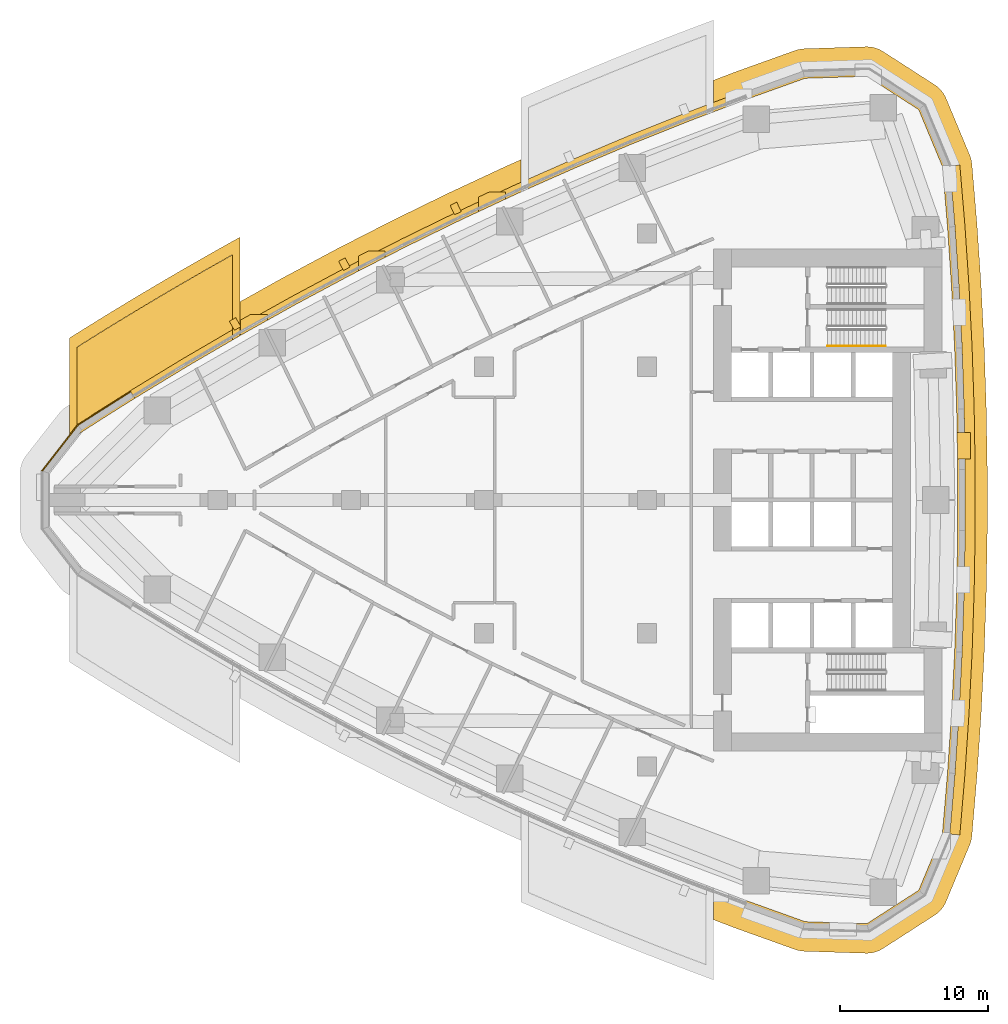
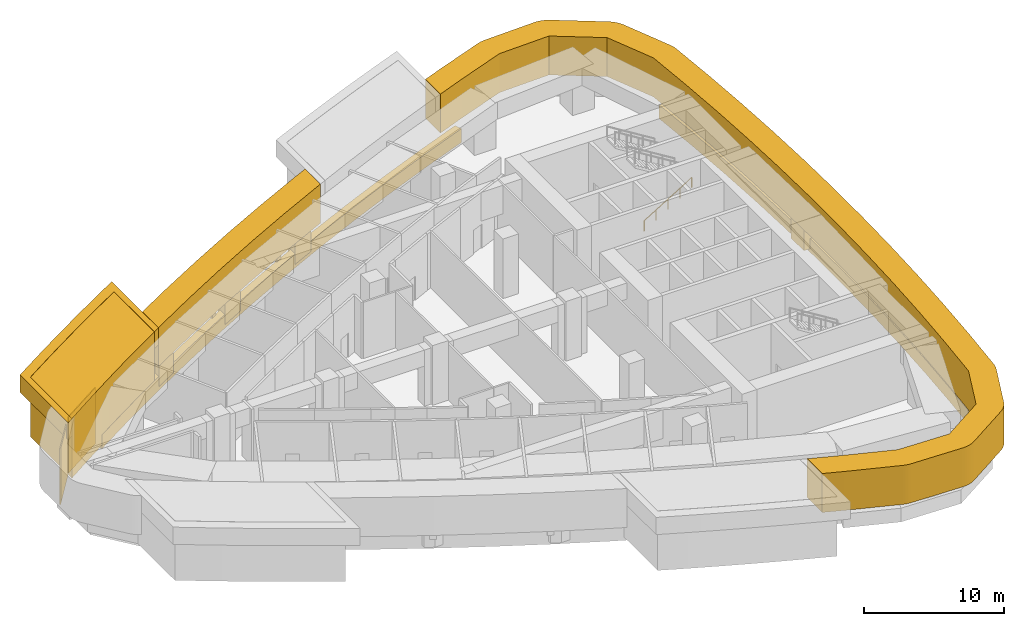
# One storey, part 15 of 17: 15 coverings, 1 railing.
"""IFC4 building model written with IfcOpenShell, lengths in metres."""

from ifc_helpers import new_model, si_unit, direction, frame, frame_2d, origin, origin_2d, place, context, subcontext, project, spatial, polyline, rectangle, circle, outline, extrude, material, layer, layer_set, type_object, element, save


model = new_model("IFC4")

# Units and contexts
model_context = context("Model", 3, precision=1e-05, world=origin(), true_north=direction((0.0, 1.0)))
body_context = subcontext(model_context, "Body", "Model", "MODEL_VIEW")
ifc_project = project(units=[si_unit("LENGTHUNIT", "METRE"), si_unit("AREAUNIT", "SQUARE_METRE"), si_unit("VOLUMEUNIT", "CUBIC_METRE"), si_unit("PLANEANGLEUNIT", "RADIAN"), si_unit("MASSUNIT", "GRAM", prefix="KILO")], contexts=[model_context])

# Site, building, storey
site_placement = place(None, origin())
site = spatial("IfcSite", under=ifc_project, at=site_placement, CompositionType="ELEMENT")
building_placement = place(site_placement, origin())
building = spatial("IfcBuilding", under=site, at=building_placement, Name="Ostrand Prow Hotel Tower", CompositionType="ELEMENT")
storey_placement = place(building_placement, frame((0.0, 0.0, 75.10009765625)))
storey = spatial("IfcBuildingStorey", under=building, at=storey_placement, Name="L17", CompositionType="ELEMENT", Elevation=75.10009765625)

# Coverings
ifc_material_1 = material(Name="Limestone cladding", Category="masonry")
ifc_layer_1 = layer(ifc_material_1, 2.0)
ifc_layer_set_1 = layer_set([ifc_layer_1], Name="Limestone cladding")
covering_type_1 = type_object("IfcCoveringType", Name="Belt lip limestone", PredefinedType="CLADDING", material=ifc_layer_set_1)
covering_1_placement = place(storey_placement, frame((0.0, 0.0, 1.7998046875)))
element("IfcCovering", 1, at=covering_1_placement, inside=storey, type_object=covering_type_1, Name="Belt L17 3", PredefinedType="CLADDING", context=body_context, shape_type="SweptSolid", body=[
    extrude(outline(polyline([(20.28076171875, 14.943115234375), (17.510009765625, 13.393798828125), (17.510009765625, 11.10009765625), (17.59912109375, 11.152099609375), (21.2568359375, 13.197509765625), (24.951416015625, 15.1748046875), (28.681884765625, 17.083984375), (32.44677734375, 18.92431640625), (36.244873046875, 20.695068359375), (36.4921875, 20.8046875), (36.49169921875, 20.805419921875), (36.4912109375, 20.80615234375), (36.49072265625, 20.806884765625), (36.490478515625, 20.80810546875), (36.490234375, 20.808837890625), (36.489990234375, 20.809814453125), (36.489990234375, 20.810791015625), (36.489990234375, 22.9921875), (35.433349609375, 22.52294921875), (35.39990234375, 22.5078125), (31.601806640625, 20.737060546875), (31.568603515625, 20.72119140625), (27.8037109375, 18.881103515625), (27.770751953125, 18.864501953125), (24.040283203125, 16.955322265625), (24.0078125, 16.938232421875), (20.31298828125, 14.960693359375), (20.28076171875, 14.943115234375)])), origin(), (0.0, 0.0, 1.0), 3.400146484375),
])
covering_2_placement = place(storey_placement, frame((0.0, 0.0, 1.7998046875)))
element("IfcCovering", 2, at=covering_2_placement, inside=storey, type_object=covering_type_1, Name="Belt L17 4", PredefinedType="CLADDING", context=body_context, shape_type="SweptSolid", body=[
    extrude(outline(polyline([(51.0341796875, 28.93994140625), (49.510009765625, 28.361572265625), (49.510009765625, 26.228759765625), (49.510009765625, 26.227783203125), (49.509765625, 26.226806640625), (49.509521484375, 26.225830078125), (49.50927734375, 26.224853515625), (49.5087890625, 26.22412109375), (49.50830078125, 26.22314453125), (49.507568359375, 26.222412109375), (49.5068359375, 26.2216796875), (49.50634765625, 26.22119140625), (51.743896484375, 27.070068359375), (55.6884765625, 28.484130859375), (59.853759765625, 28.62060546875), (63.3583984375, 26.36572265625), (64.960205078125, 22.518310546875), (65.3037109375, 18.432861328125), (65.578857421875, 14.342041015625), (65.784912109375, 10.247314453125), (65.922607421875, 6.1494140625), (65.991455078125, 2.050048828125), (65.991455078125, -2.050048828125), (65.922607421875, -6.1494140625), (65.784912109375, -10.247314453125), (65.578857421875, -14.342041015625), (65.3037109375, -18.432861328125), (64.960205078125, -22.518310546875), (63.3583984375, -26.36572265625), (59.853759765625, -28.62060546875), (55.6884765625, -28.484130859375), (51.743896484375, -27.070068359375), (49.50634765625, -26.22119140625), (49.5068359375, -26.2216796875), (49.507568359375, -26.222412109375), (49.50830078125, -26.22314453125), (49.5087890625, -26.22412109375), (49.50927734375, -26.224853515625), (49.509521484375, -26.225830078125), (49.509765625, -26.226806640625), (49.510009765625, -26.227783203125), (49.510009765625, -26.228759765625), (49.510009765625, -28.361572265625), (51.0341796875, -28.93994140625), (51.06884765625, -28.95263671875), (55.013671875, -30.366943359375), (55.21240234375, -30.4267578125), (55.416259765625, -30.465576171875), (55.623046875, -30.483154296875), (59.7880859375, -30.61962890625), (59.989501953125, -30.6162109375), (60.189697265625, -30.59228515625), (60.38623046875, -30.548583984375), (60.577392578125, -30.485107421875), (60.76123046875, -30.40283203125), (60.935791015625, -30.302490234375), (64.4404296875, -28.047607421875), (64.604248046875, -27.93017578125), (64.75537109375, -27.797119140625), (64.89208984375, -27.649169921875), (65.013427734375, -27.48828125), (65.117919921875, -27.31640625), (65.20458984375, -27.134521484375), (66.806640625, -23.287109375), (66.876220703125, -23.09228515625), (66.92529296875, -22.89111328125), (66.953125, -22.68603515625), (67.296875, -18.600341796875), (67.29931640625, -18.56689453125), (67.57421875, -14.47607421875), (67.576171875, -14.442626953125), (67.782470703125, -10.347900390625), (67.783935546875, -10.314208984375), (67.92138671875, -6.216552734375), (67.92236328125, -6.18310546875), (67.9912109375, -2.08349609375), (67.991455078125, -2.050048828125), (67.991455078125, 2.050048828125), (67.9912109375, 2.08349609375), (67.92236328125, 6.18310546875), (67.92138671875, 6.216552734375), (67.783935546875, 10.314208984375), (67.782470703125, 10.347900390625), (67.576171875, 14.442626953125), (67.57421875, 14.47607421875), (67.29931640625, 18.56689453125), (67.296875, 18.600341796875), (66.953125, 22.68603515625), (66.92529296875, 22.89111328125), (66.876220703125, 23.09228515625), (66.806640625, 23.287109375), (65.20458984375, 27.134521484375), (65.117919921875, 27.31640625), (65.013427734375, 27.48828125), (64.89208984375, 27.649169921875), (64.75537109375, 27.797119140625), (64.604248046875, 27.93017578125), (64.4404296875, 28.047607421875), (60.935791015625, 30.302490234375), (60.76123046875, 30.40283203125), (60.577392578125, 30.485107421875), (60.38623046875, 30.548583984375), (60.189697265625, 30.59228515625), (59.989501953125, 30.6162109375), (59.7880859375, 30.61962890625), (55.623046875, 30.483154296875), (55.416259765625, 30.465576171875), (55.21240234375, 30.4267578125), (55.013671875, 30.366943359375), (51.06884765625, 28.95263671875), (51.0341796875, 28.93994140625)])), origin(), (0.0, 0.0, 1.0), 3.400146484375),
])
covering_3_placement = place(storey_placement, origin())
element("IfcCovering", 3, at=covering_3_placement, inside=storey, type_object=covering_type_1, Name="Belt fin 12 L17", PredefinedType="CLADDING", context=body_context, shape_type="SweptSolid", body=[
    extrude(outline(polyline([(66.864501953125, 3.665771484375), (66.849365234375, 4.55810546875), (65.94921875, 4.55810546875), (65.9794921875, 2.75830078125), (66.864501953125, 2.75830078125), (66.864501953125, 3.665771484375)])), origin(), (0.0, 0.0, 1.0), 1.7998046875),
])
covering_4_placement = place(storey_placement, origin())
element("IfcCovering", 4, at=covering_4_placement, inside=storey, type_object=covering_type_1, Name="Belt fin 18 L17", PredefinedType="CLADDING", context=body_context, shape_type="SweptSolid", body=[
    extrude(outline(polyline([(34.33447265625, 20.79736328125), (33.634033203125, 20.470703125), (33.634033203125, 19.477783203125), (35.43408203125, 20.31689453125), (35.43408203125, 20.79736328125), (34.33447265625, 20.79736328125)])), origin(), (0.0, 0.0, 1.0), 1.7998046875),
])
covering_5_placement = place(storey_placement, origin())
element("IfcCovering", 5, at=covering_5_placement, inside=storey, type_object=covering_type_1, Name="Belt fin 19 L17", PredefinedType="CLADDING", context=body_context, shape_type="SweptSolid", body=[
    extrude(outline(polyline([(26.19873046875, 16.82421875), (25.515869140625, 16.474609375), (25.515869140625, 15.463623046875), (27.31591796875, 16.385009765625), (27.31591796875, 16.82421875), (26.19873046875, 16.82421875)])), origin(), (0.0, 0.0, 1.0), 1.7998046875),
])
covering_6_placement = place(storey_placement, origin())
element("IfcCovering", 6, at=covering_6_placement, inside=storey, type_object=covering_type_1, Name="Belt fin 20 L17", PredefinedType="CLADDING", context=body_context, shape_type="SweptSolid", body=[
    extrude(outline(polyline([(17.59912109375, 11.152099609375), (19.360595703125, 12.13720703125), (19.360595703125, 12.533935546875), (18.22607421875, 12.533935546875), (17.560791015625, 12.161865234375), (17.560791015625, 11.129638671875), (17.59912109375, 11.152099609375)])), origin(), (0.0, 0.0, 1.0), 1.7998046875),
])
ifc_material_2 = material(Name="Bronze anodised aluminium cladding", Category="aluminium")
ifc_layer_2 = layer(ifc_material_2, 0.60009765625)
ifc_layer_set_2 = layer_set([ifc_layer_2], Name="Bronze anodised aluminium cladding")
covering_type_2 = type_object("IfcCoveringType", Name="Bronze spandrel band 1200x600", PredefinedType="CLADDING", material=ifc_layer_set_2)
covering_7_placement = place(storey_placement, frame((0.0, 0.0, -0.300048828125)))
element("IfcCovering", 7, at=covering_7_placement, inside=storey, type_object=covering_type_2, Name="Spandrel band N1", PredefinedType="CLADDING", context=body_context, shape_type="SweptSolid", body=[
    extrude(outline(polyline([(51.5361328125, 27.6328125), (47.607666015625, 26.142578125), (43.70751953125, 24.580078125), (39.83642578125, 22.946044921875), (35.996337890625, 21.2412109375), (32.188232421875, 19.4658203125), (28.413330078125, 17.62060546875), (24.673095703125, 15.70654296875), (20.968994140625, 13.723876953125), (17.301513671875, 11.673095703125), (13.672607421875, 9.555419921875), (10.08349609375, 7.371337890625), (10.39990234375, 6.86181640625), (13.97998046875, 9.0400390625), (17.59912109375, 11.152099609375), (21.2568359375, 13.197509765625), (24.951416015625, 15.1748046875), (28.681884765625, 17.083984375), (32.44677734375, 18.92431640625), (36.244873046875, 20.695068359375), (40.074951171875, 22.3955078125), (43.935791015625, 24.025146484375), (47.82568359375, 25.58349609375), (51.743896484375, 27.070068359375), (51.5361328125, 27.6328125)])), origin(), (0.0, 0.0, 1.0), 1.199951171875),
])
covering_8_placement = place(storey_placement, frame((0.0, 0.0, -0.300048828125)))
element("IfcCovering", 8, at=covering_8_placement, inside=storey, type_object=covering_type_2, Name="Spandrel band back 3", PredefinedType="CLADDING", context=body_context, shape_type="SweptSolid", body=[
    extrude(outline(polyline([(66.13525390625, -22.627197265625), (66.48046875, -18.521728515625), (66.756591796875, -14.411376953125), (66.964111328125, -10.296630859375), (67.102294921875, -6.17919921875), (67.17138671875, -2.059814453125), (67.17138671875, 2.059814453125), (67.102294921875, 6.17919921875), (66.964111328125, 10.296630859375), (66.756591796875, 14.411376953125), (66.48046875, 18.521728515625), (66.13525390625, 22.627197265625), (65.4580078125, 22.564453125), (65.802490234375, 18.470458984375), (66.077880859375, 14.371337890625), (66.28466796875, 10.26806640625), (66.422607421875, 6.162109375), (66.491455078125, 2.05419921875), (66.491455078125, -2.05419921875), (66.422607421875, -6.162109375), (66.28466796875, -10.26806640625), (66.077880859375, -14.371337890625), (65.802490234375, -18.470458984375), (65.4580078125, -22.564453125), (66.13525390625, -22.627197265625)])), origin(), (0.0, 0.0, 1.0), 1.199951171875),
])
ifc_material_3 = material(Name="Limestone cladding", Category="masonry")
ifc_layer_3 = layer(ifc_material_3, 5.0)
ifc_layer_set_3 = layer_set([ifc_layer_3], Name="Limestone cladding")
covering_type_3 = type_object("IfcCoveringType", Name="Portal jamb pilaster limestone", PredefinedType="CLADDING", material=ifc_layer_set_3)
covering_9_placement = place(storey_placement, origin())
element("IfcCovering", 9, at=covering_9_placement, inside=storey, type_object=covering_type_3, Name="Portal jamb NA L17", PredefinedType="CLADDING", context=body_context, shape_type="SweptSolid", body=[
    extrude(outline(polyline([(6.5, 4.3837890625), (7.45458984375, 5.00048828125), (8.4091796875, 5.610595703125), (9.363525390625, 6.214111328125), (10.318115234375, 6.810791015625), (11.272705078125, 7.401123046875), (12.227294921875, 7.98486328125), (13.181884765625, 8.562255859375), (14.136474609375, 9.13330078125), (15.0908203125, 9.697998046875), (16.04541015625, 10.25634765625), (17.0, 10.80859375), (17.0, 16.556640625), (16.04541015625, 16.020263671875), (15.0908203125, 15.4775390625), (14.136474609375, 14.92919921875), (13.181884765625, 14.37451171875), (12.227294921875, 13.81396484375), (11.272705078125, 13.247314453125), (10.318115234375, 12.67431640625), (9.363525390625, 12.09521484375), (8.4091796875, 11.509521484375), (7.45458984375, 10.917724609375), (6.5, 10.319580078125), (6.5, 4.3837890625)])), origin(), (0.0, 0.0, 1.0), 5.199951171875),
])
ifc_material_4 = material(Name="Limestone cladding", Category="masonry")
ifc_layer_4 = layer(ifc_material_4, 4.0)
ifc_layer_set_4 = layer_set([ifc_layer_4], Name="Limestone cladding")
covering_type_4 = type_object("IfcCoveringType", Name="Portal lintel limestone", PredefinedType="CLADDING", material=ifc_layer_set_4)
covering_10_placement = place(storey_placement, frame((0.0, 0.0, 3.699951171875)))
element("IfcCovering", 10, at=covering_10_placement, inside=storey, type_object=covering_type_4, Name="Portal jamb cap NA L17", PredefinedType="CLADDING", context=body_context, shape_type="SweptSolid", body=[
    extrude(outline(polyline([(6.0, 10.9501953125), (6.0, 4.05810546875), (6.491943359375, 4.377685546875), (6.49169921875, 4.37841796875), (6.4912109375, 4.379150390625), (6.49072265625, 4.3798828125), (6.490478515625, 4.381103515625), (6.490234375, 4.3818359375), (6.489990234375, 4.3828125), (6.489990234375, 4.3837890625), (6.489990234375, 10.319580078125), (6.489990234375, 10.320556640625), (6.490234375, 10.321533203125), (6.490478515625, 10.322509765625), (6.49072265625, 10.323486328125), (6.4912109375, 10.324462890625), (6.49169921875, 10.3251953125), (6.492431640625, 10.326171875), (6.4931640625, 10.326904296875), (6.493896484375, 10.327392578125), (6.49462890625, 10.328125), (7.44921875, 10.92626953125), (7.44921875, 10.92626953125), (8.40380859375, 11.51806640625), (8.40380859375, 11.518310546875), (9.3583984375, 12.103515625), (9.3583984375, 12.103515625), (10.31298828125, 12.682861328125), (10.31298828125, 12.682861328125), (11.267578125, 13.255859375), (11.267578125, 13.255859375), (12.22216796875, 13.822509765625), (12.22216796875, 13.822509765625), (13.1767578125, 14.38330078125), (13.1767578125, 14.38330078125), (14.13134765625, 14.937744140625), (14.13134765625, 14.937744140625), (15.0859375, 15.486328125), (15.0859375, 15.486328125), (16.04052734375, 16.02880859375), (16.04052734375, 16.02880859375), (16.9951171875, 16.5654296875), (16.99609375, 16.56591796875), (16.996826171875, 16.56640625), (16.997802734375, 16.56640625), (16.998779296875, 16.566650390625), (16.999755859375, 16.566650390625), (17.000732421875, 16.566650390625), (17.001708984375, 16.566650390625), (17.002685546875, 16.56640625), (17.003662109375, 16.56591796875), (17.004638671875, 16.565673828125), (17.005615234375, 16.565185546875), (17.00634765625, 16.564453125), (17.007080078125, 16.56396484375), (17.0078125, 16.56298828125), (17.00830078125, 16.562255859375), (17.0087890625, 16.5615234375), (17.00927734375, 16.560546875), (17.009521484375, 16.559814453125), (17.009765625, 16.55859375), (17.010009765625, 16.5576171875), (17.010009765625, 16.556640625), (17.010009765625, 10.813720703125), (17.5, 11.095458984375), (17.5, 17.750244140625), (16.541748046875, 17.217041015625), (15.583251953125, 16.677978515625), (14.625, 16.1328125), (13.666748046875, 15.581787109375), (12.708251953125, 15.0244140625), (11.75, 14.461181640625), (10.791748046875, 13.8916015625), (9.833251953125, 13.31591796875), (8.875, 12.734130859375), (7.916748046875, 12.145751953125), (6.958251953125, 11.55126953125), (6.0, 10.9501953125)])), origin(), (0.0, 0.0, 1.0), 1.5),
])
ifc_material_5 = material(Name="Limestone cladding", Category="masonry")
ifc_layer_5 = layer(ifc_material_5, 0.5)
ifc_layer_set_5 = layer_set([ifc_layer_5], Name="Limestone cladding")
covering_type_5 = type_object("IfcCoveringType", Name="Precast stone fin 500x600", PredefinedType="CLADDING", material=ifc_layer_set_5)
covering_11_placement = place(storey_placement, frame((32.231201171875, 19.37548828125, 0.89990234375), z_axis=(0.0, 0.0, 1.0), x_axis=(-0.430677943973, 0.902505683403, 0.0)))
element("IfcCovering", 11, at=covering_11_placement, inside=storey, type_object=covering_type_5, Name="Stone fin N 6", PredefinedType="CLADDING", context=body_context, shape_type="SweptSolid", body=[
    extrude(rectangle(XDim=0.7001953125, YDim=0.5, at=frame_2d((0.35009765625, 0.0))), origin(), (0.0, 0.0, 1.0), 4.0),
])
for number, where, z_axis, x_axis, name in (
    (12, (24.719482421875, 15.617919921875, 0.89990234375), (0.0, 0.0, 1.0), (-0.463602867837, 0.886043103316, 0.0), "Stone fin N 8"),
    (13, (17.351318359375, 11.58642578125, 0.89990234375), (0.0, 0.0, 1.0), (-0.496326736207, 0.868135802122, 0.0), "Stone fin N 10"),
):
    element("IfcCovering", number, at=place(storey_placement, frame(where, z_axis=z_axis, x_axis=x_axis)), inside=storey, type_object=covering_type_5, Name=name, PredefinedType="CLADDING", context=body_context, shape_type="SweptSolid", body=[
        extrude(rectangle(XDim=0.699951171875, YDim=0.5, at=frame_2d((0.35009765625, 0.0))), origin(), (0.0, 0.0, 1.0), 4.0),
    ])

# Railing
ifc_material_6 = material(Name="Stainless steel", Category="steel")
railing_type = type_object("IfcRailingType", Name="Stair handrail 900", PredefinedType="HANDRAIL", material=ifc_material_6)
railing_placement = place(storey_placement, frame((57.199951171875, 10.39990234375, 0.17333984375)))
element("IfcRailing", 14, at=railing_placement, inside=storey, type_object=railing_type, Name="L17 ST1C stair handrail 1", PredefinedType="HANDRAIL", context=body_context, shape_type="SweptSolid", body=[
    extrude(circle(Radius=0.02392578125, at=origin_2d()), frame((0.0, 0.0, 0.8759765625), z_axis=(0.850289973577, 0.0, 0.526314507528), x_axis=(0.0, 1.0, 0.0)), (0.0, 0.0, 1.0), 4.6103515625),
    extrude(circle(Radius=0.02099609375, at=origin_2d()), origin(), (0.0, 0.0, 1.0), 0.851806640625),
    extrude(circle(Radius=0.02099609375, at=origin_2d()), frame((0.97998046875, 0.0, 0.606689453125)), (0.0, 0.0, 1.0), 0.851806640625),
    extrude(circle(Radius=0.02099609375, at=origin_2d()), frame((1.9599609375, 0.0, 1.21337890625)), (0.0, 0.0, 1.0), 0.851806640625),
    extrude(circle(Radius=0.02099609375, at=origin_2d()), frame((2.940185546875, 0.0, 1.81982421875)), (0.0, 0.0, 1.0), 0.851806640625),
    extrude(circle(Radius=0.02099609375, at=origin_2d()), frame((3.920166015625, 0.0, 2.426513671875)), (0.0, 0.0, 1.0), 0.851806640625),
])

# Coverings
ifc_material_7 = material(Name="Limestone cladding", Category="masonry")
ifc_layer_6 = layer(ifc_material_7, 0.080078125)
ifc_layer_set_6 = layer_set([ifc_layer_6], Name="Limestone cladding")
covering_type_6 = type_object("IfcCoveringType", Name="Warm limestone cladding 80 mm", PredefinedType="CLADDING", material=ifc_layer_set_6)
covering_12_placement = place(storey_placement, frame((10.114990234375, 7.3203125, 0.0), z_axis=(0.0, 0.0, 1.0), x_axis=(-0.844581661729, -0.535426761258, 0.0)))
element("IfcCovering", 15, at=covering_12_placement, inside=storey, type_object=covering_type_6, Name="Limestone cladding prow 1", PredefinedType="CLADDING", context=body_context, shape_type="SweptSolid", body=[
    extrude(outline(polyline([(0.0, -0.0400390625), (4.207275390625, -0.0400390625), (4.193603515625, 0.0400390625), (0.0, 0.0400390625), (0.0, -0.0400390625)])), origin(), (0.0, 0.0, 1.0), 4.89990234375),
])
covering_13_placement = place(storey_placement, frame((6.5673828125, 5.0712890625, 0.0), z_axis=(0.0, 0.0, 1.0), x_axis=(-0.616528819619, -0.787332340615, 0.0)))
element("IfcCovering", 16, at=covering_13_placement, inside=storey, type_object=covering_type_6, Name="Limestone cladding prow 2", PredefinedType="CLADDING", context=body_context, shape_type="SweptSolid", body=[
    extrude(outline(polyline([(-0.0068359375, -0.0400390625), (3.953125, -0.0400390625), (3.92529296875, 0.0400390625), (0.0068359375, 0.0400390625), (-0.0068359375, -0.0400390625)])), origin(), (0.0, 0.0, 1.0), 4.89990234375),
])

save(model, "model.ifc")
